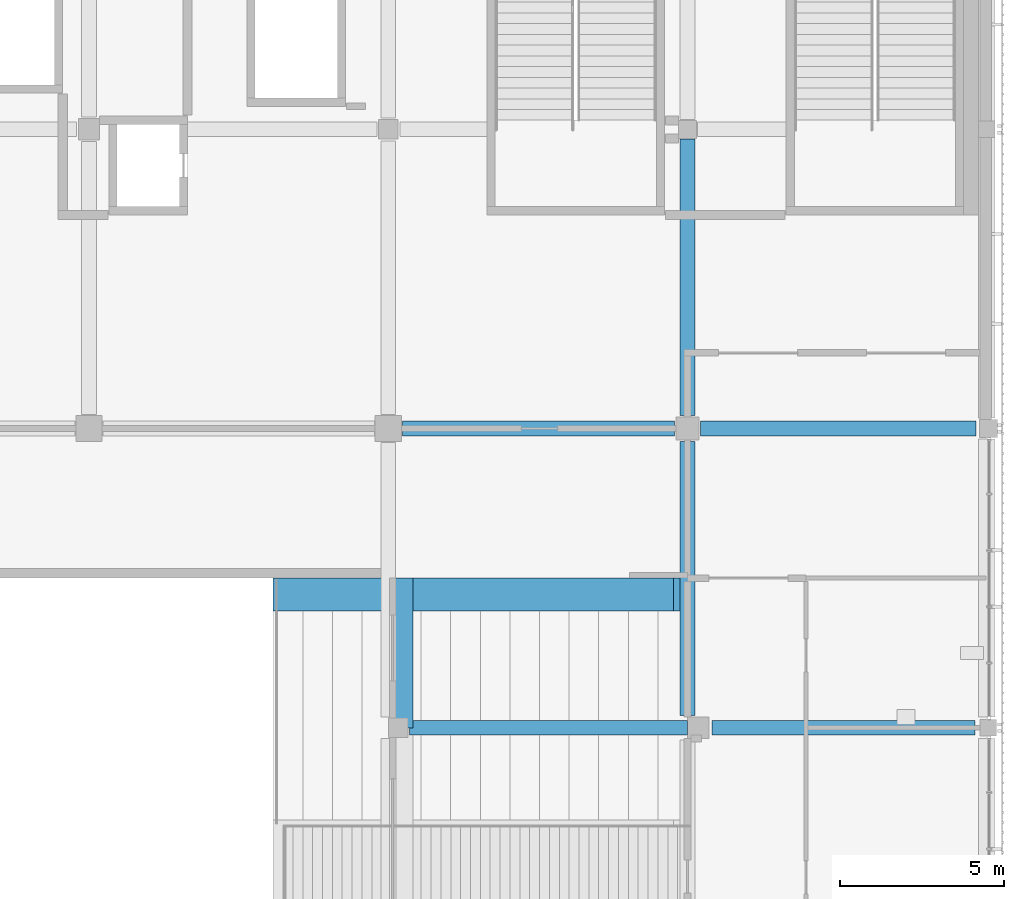
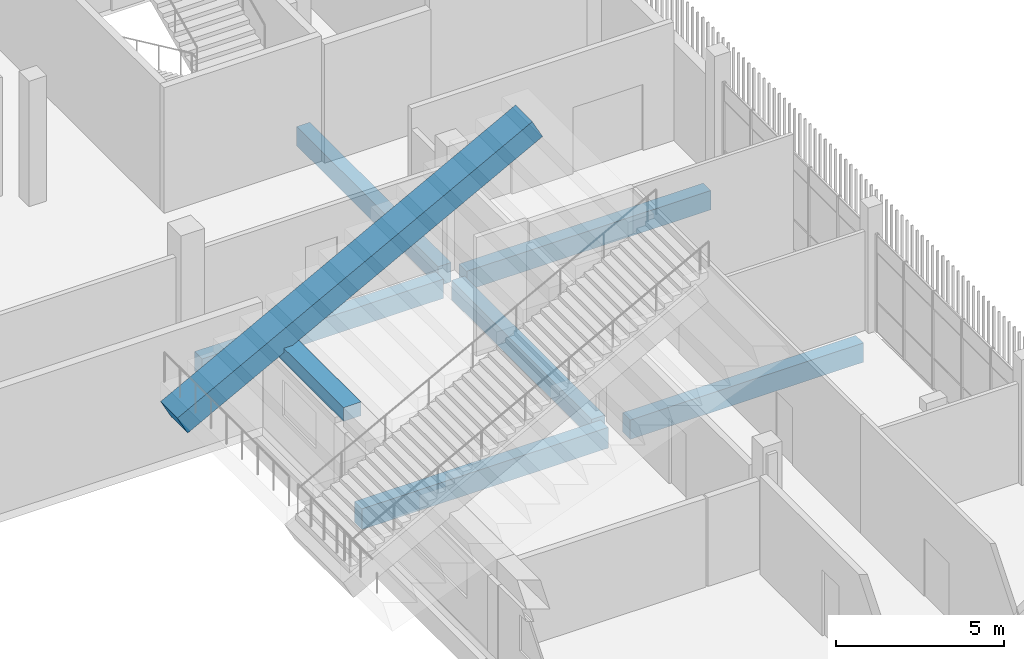
# One storey, part 60 of 139: 8 beams.
"""IFC4 building model written with IfcOpenShell, lengths in metres."""

from ifc_helpers import new_model, si_unit, direction, frame, origin, origin_2d, place, context, subcontext, project, spatial, rectangle, extrude, material, material_profile, profile_set, type_object, element, save


model = new_model("IFC4")

# Units and contexts
model_context = context("Model", 3, precision=1e-05, world=origin(), true_north=direction((0.0, 1.0)))
body_context = subcontext(model_context, "Body", "Model", "MODEL_VIEW")
ifc_project = project(units=[si_unit("LENGTHUNIT", "METRE"), si_unit("AREAUNIT", "SQUARE_METRE"), si_unit("VOLUMEUNIT", "CUBIC_METRE"), si_unit("PLANEANGLEUNIT", "RADIAN"), si_unit("MASSUNIT", "GRAM", prefix="KILO")], contexts=[model_context])

# Site, building, storey
site_placement = place(None, origin())
site = spatial("IfcSite", under=ifc_project, at=site_placement, CompositionType="ELEMENT")
building_placement = place(site_placement, origin())
building = spatial("IfcBuilding", under=site, at=building_placement, Name="Shirokan Park Arena", CompositionType="ELEMENT")
storey_placement = place(building_placement, frame((0.0, 0.0, 15.469970703125)))
storey = spatial("IfcBuildingStorey", under=building, at=storey_placement, Name="L03", CompositionType="ELEMENT", Elevation=15.469970703125)

# Beams
ifc_material = material(Name="Concrete C35", Category="concrete")
ifc_material_profile_1 = material_profile(ifc_material, rectangle(XDim=1.0, YDim=0.75, at=origin_2d()), Name="1000x750")
ifc_profile_set_1 = profile_set([ifc_material_profile_1], Name="Concrete C35")
beam_type_1 = type_object("IfcBeamType", Name="RC end raker 1000x750", PredefinedType="USERDEFINED", material=ifc_profile_set_1)
beam_1_placement = place(storey_placement, frame((124.076416015625, 67.75, 1.822509765625), z_axis=(0.882357349738, 0.0, 0.470579969147), x_axis=(0.0, 1.0, 0.0)))
element("IfcBeam", 1, at=beam_1_placement, inside=storey, type_object=beam_type_1, Name="End raker upper E 2", ObjectType="END RAKER BEAM", PredefinedType="USERDEFINED", context=body_context, shape_type="SweptSolid", body=[
    extrude(rectangle(XDim=1.0, YDim=0.75, at=origin_2d()), origin(), (0.0, 0.0, 1.0), 13.796630859375),
])
ifc_material_profile_2 = material_profile(ifc_material, rectangle(XDim=0.449951171875, YDim=0.699951171875, at=origin_2d()), Name="450x700")
ifc_profile_set_2 = profile_set([ifc_material_profile_2], Name="Concrete C35")
beam_type_2 = type_object("IfcBeamType", Name="RC girder 450x700", PredefinedType="BEAM", material=ifc_profile_set_2)
beam_2_placement = place(storey_placement, frame((127.8251953125, 72.800048828125, -0.64990234375), z_axis=(1.0, 0.0, 0.0), x_axis=(0.0, 1.0, 0.0)))
element("IfcBeam", 2, at=beam_2_placement, inside=storey, type_object=beam_type_2, Name="Girder 15J-16J L03", PredefinedType="BEAM", context=body_context, shape_type="SweptSolid", body=[
    extrude(rectangle(XDim=0.449951171875, YDim=0.699951171875, at=origin_2d()), origin(), (0.0, 0.0, 1.0), 8.274658203125),
])
beam_3_placement = place(storey_placement, frame((137.25, 63.699951171875, -0.64990234375), z_axis=(1.0, 0.0, 0.0), x_axis=(0.0, 1.0, 0.0)))
element("IfcBeam", 3, at=beam_3_placement, inside=storey, type_object=beam_type_2, Name="Girder 16H-17H L03", PredefinedType="BEAM", context=body_context, shape_type="SweptSolid", body=[
    extrude(rectangle(XDim=0.449951171875, YDim=0.699951171875, at=origin_2d()), origin(), (0.0, 0.0, 1.0), 8.0),
])
beam_4_placement = place(storey_placement, frame((136.900146484375, 72.800048828125, -0.64990234375), z_axis=(1.0, 0.0, 0.0), x_axis=(0.0, 1.0, 0.0)))
element("IfcBeam", 4, at=beam_4_placement, inside=storey, type_object=beam_type_2, Name="Girder 16J-17J L03", PredefinedType="BEAM", context=body_context, shape_type="SweptSolid", body=[
    extrude(rectangle(XDim=0.449951171875, YDim=0.699951171875, at=origin_2d()), origin(), (0.0, 0.0, 1.0), 8.374755859375),
])
beam_5_placement = place(storey_placement, frame((136.5, 64.0751953125, -0.64990234375), z_axis=(0.0, 1.0, 0.0), x_axis=(-1.0, 0.0, 0.0)))
element("IfcBeam", 5, at=beam_5_placement, inside=storey, type_object=beam_type_2, Name="Girder 16H-16J L03", PredefinedType="BEAM", context=body_context, shape_type="SweptSolid", body=[
    extrude(rectangle(XDim=0.449951171875, YDim=0.699951171875, at=origin_2d()), origin(), (0.0, 0.0, 1.0), 8.32470703125),
])
beam_6_placement = place(storey_placement, frame((136.5, 73.2001953125, -0.64990234375), z_axis=(0.0, 1.0, 0.0), x_axis=(-1.0, 0.0, 0.0)))
element("IfcBeam", 6, at=beam_6_placement, inside=storey, type_object=beam_type_2, Name="Girder 16J-16K L03", PredefinedType="BEAM", context=body_context, shape_type="SweptSolid", body=[
    extrude(rectangle(XDim=0.449951171875, YDim=0.699951171875, at=origin_2d()), origin(), (0.0, 0.0, 1.0), 8.399658203125),
])
ifc_material_profile_3 = material_profile(ifc_material, rectangle(XDim=0.449951171875, YDim=0.75, at=origin_2d()), Name="450x750")
ifc_profile_set_3 = profile_set([ifc_material_profile_3], Name="Concrete C35")
beam_type_3 = type_object("IfcBeamType", Name="RC girder 450x750", PredefinedType="BEAM", material=ifc_profile_set_3)
beam_7_placement = place(storey_placement, frame((128.050048828125, 63.699951171875, -0.675048828125), z_axis=(1.0, 0.0, 0.0), x_axis=(0.0, 1.0, 0.0)))
element("IfcBeam", 7, at=beam_7_placement, inside=storey, type_object=beam_type_3, Name="Girder 15H-16H L03", PredefinedType="BEAM", context=body_context, shape_type="SweptSolid", body=[
    extrude(rectangle(XDim=0.449951171875, YDim=0.75, at=origin_2d()), origin(), (0.0, 0.0, 1.0), 8.449951171875),
])
ifc_material_profile_4 = material_profile(ifc_material, rectangle(XDim=0.60009765625, YDim=0.5, at=origin_2d()), Name="600x500")
ifc_profile_set_4 = profile_set([ifc_material_profile_4], Name="Concrete C35")
beam_type_4 = type_object("IfcBeamType", Name="RC stand girder end bay 600x500", PredefinedType="BEAM", material=ifc_profile_set_4)
beam_8_placement = place(storey_placement, frame((127.85009765625, 63.699951171875, 3.159912109375), z_axis=(0.0, 1.0, 0.0), x_axis=(-1.0, 0.0, 0.0)))
element("IfcBeam", 8, at=beam_8_placement, inside=storey, type_object=beam_type_4, Name="Stand girder E R3 4", PredefinedType="BEAM", context=body_context, shape_type="SweptSolid", body=[
    extrude(rectangle(XDim=0.60009765625, YDim=0.5, at=origin_2d()), origin(), (0.0, 0.0, 1.0), 4.550048828125),
])

save(model, "model.ifc")
